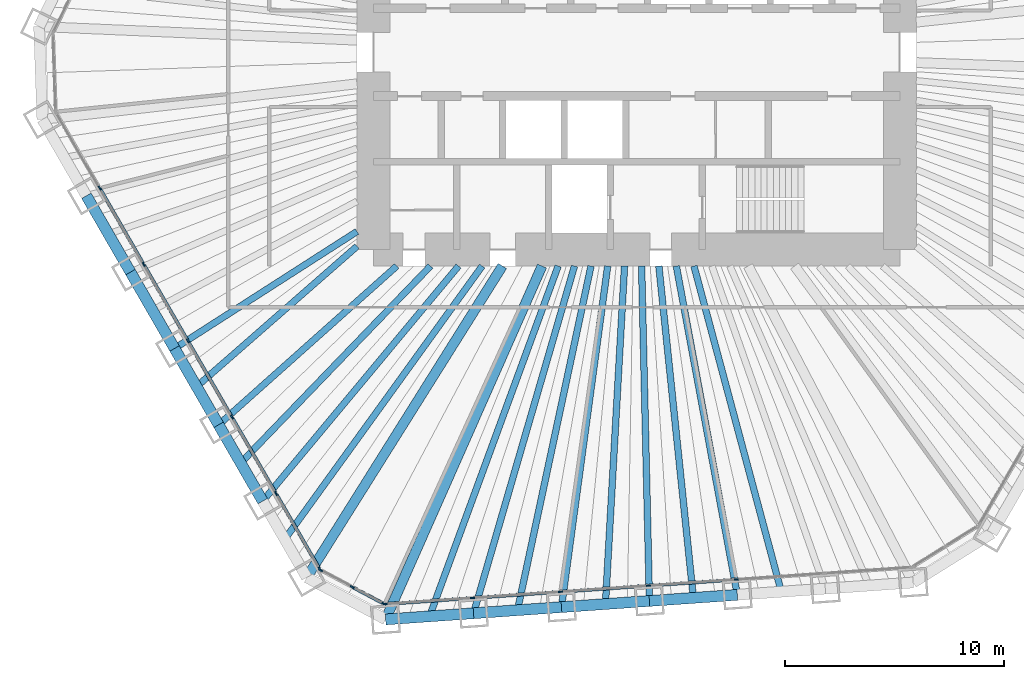
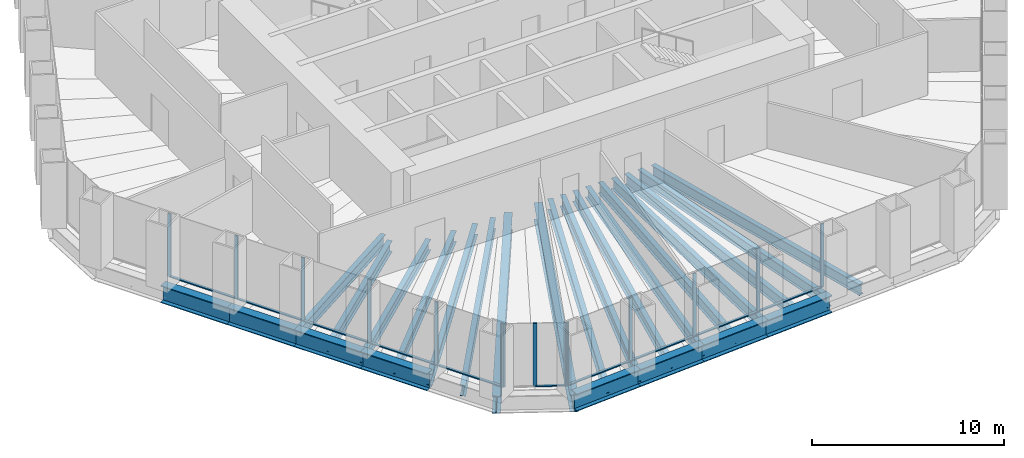
# One storey, part 2 of 13: 25 beams, 24 members, 3 elements without a shape of their own.
"""IFC4 building model written with IfcOpenShell, lengths in metres."""

import ifcopenshell
import ifcopenshell.guid

model = None  # the IFC model being written
_history = None  # IfcOwnerHistory: only IFC2X3 demands one
_inside = {}  # id of a spatial element -> (the spatial element, [elements in it])
_under = {}  # id of a project, library or spatial element -> (it, [spatial elements below it])
_declared = {}  # id of a project -> (the project, [libraries it declares])
_typed = {}  # id of a type object -> (the type object, [elements of that type])
_made_of = {}  # id of a material, layer set ... -> (it, [elements and type objects made of it])


def new_model(schema):
    """Start an empty IFC model of exactly this schema.

    Asked for "IFC4X3", IfcOpenShell would pick the latest addendum, in which some entities
    have other attributes; the version numbers below select the first issue.
    IFC2X3 requires an IfcOwnerHistory on every rooted entity: one is made here for all.
    """
    global model, _history
    if schema == "IFC4X3":
        model = ifcopenshell.file(schema_version=(4, 3, 0, 0))
    else:
        model = ifcopenshell.file(schema=schema)
    _inside.clear()
    _under.clear()
    _declared.clear()
    _typed.clear()
    _made_of.clear()
    _history = None
    if model.schema == "IFC2X3":
        org = make("IfcOrganization", Name="unknown")
        user = make(
            "IfcPersonAndOrganization",
            ThePerson=make("IfcPerson", FamilyName="unknown"),
            TheOrganization=org,
        )
        app = make(
            "IfcApplication",
            ApplicationDeveloper=org,
            Version="unknown",
            ApplicationFullName="unknown",
            ApplicationIdentifier="unknown",
        )
        _history = make(
            "IfcOwnerHistory",
            OwningUser=user,
            OwningApplication=app,
            ChangeAction="ADDED",
            CreationDate=0,
        )
    return model


def make(cls, **values):
    """One entity of the class cls with the attributes given. An attribute that is None is left unset."""
    return model.create_entity(
        cls, **{name: value for name, value in values.items() if value is not None}
    )


def rooted(cls, **values):
    """An entity with a GlobalId (a new one), such as an element, a storey or a relation."""
    return make(cls, GlobalId=ifcopenshell.guid.new(), OwnerHistory=_history, **values)


def si_unit(unit_type, name, prefix=None):
    """IfcSIUnit, for example si_unit("LENGTHUNIT", "METRE", prefix="MILLI")."""
    return make("IfcSIUnit", UnitType=unit_type, Prefix=prefix, Name=name)


def assignment(units):
    """IfcUnitAssignment: the units of a project."""
    return None if units is None else make("IfcUnitAssignment", Units=units)


def point(xyz):
    """IfcCartesianPoint."""
    return None if xyz is None else make("IfcCartesianPoint", Coordinates=xyz)


def direction(xyz):
    """IfcDirection."""
    return None if xyz is None else make("IfcDirection", DirectionRatios=xyz)


def frame(location, z_axis=None, x_axis=None):
    """IfcAxis2Placement3D, a coordinate frame: its origin and axes. An axis left out is left unset."""
    return make(
        "IfcAxis2Placement3D",
        Location=point(location),
        Axis=direction(z_axis),
        RefDirection=direction(x_axis),
    )


def frame_2d(location, x_axis=None):
    """IfcAxis2Placement2D, a coordinate frame in the plane: its origin and x axis."""
    return make(
        "IfcAxis2Placement2D", Location=point(location), RefDirection=direction(x_axis)
    )


def origin():
    """The frame at (0, 0, 0) with its axes left unset."""
    return frame((0.0, 0.0, 0.0))


def origin_2d():
    """The frame at (0, 0) in the plane with its x axis left unset."""
    return frame_2d((0.0, 0.0))


def place(relative_to, where):
    """IfcLocalPlacement: puts the frame where relative to a parent placement (None: the world)."""
    return make(
        "IfcLocalPlacement", PlacementRelTo=relative_to, RelativePlacement=where
    )


def context(
    kind, dimensions, precision=None, world=None, true_north=None, identifier=None
):
    """IfcGeometricRepresentationContext, for example the 3D "Model" context."""
    return make(
        "IfcGeometricRepresentationContext",
        ContextIdentifier=identifier,
        ContextType=kind,
        CoordinateSpaceDimension=dimensions,
        Precision=precision,
        WorldCoordinateSystem=world,
        TrueNorth=true_north,
    )


def subcontext(parent, identifier, kind, view, scale=None):
    """IfcGeometricRepresentationSubContext, for example "Body" below "Model"."""
    return make(
        "IfcGeometricRepresentationSubContext",
        ContextIdentifier=identifier,
        ContextType=kind,
        ParentContext=parent,
        TargetScale=scale,
        TargetView=view,
    )


def project(units=None, contexts=None):
    """IfcProject with its units and contexts."""
    return rooted(
        "IfcProject",
        Name="project",
        RepresentationContexts=contexts,
        UnitsInContext=assignment(units),
    )


def spatial(cls, under=None, at=None, **own):
    """A site, building, storey or space (cls), placed at a placement, below another one or the project."""
    s = rooted(cls, ObjectPlacement=at, **own)
    if under is not None:
        _under.setdefault(under.id(), (under, []))[1].append(s)
    return s


def profile(cls, at=None, kind="AREA", **sizes):
    """A parametric profile (cls). Its sizes go by their IFC names, for example OverallWidth=200.0."""
    return make(cls, ProfileType=kind, Position=at, **sizes)


def rectangle(**sizes):
    """IfcRectangleProfileDef."""
    return profile("IfcRectangleProfileDef", **sizes)


def i_section(**sizes):
    """IfcIShapeProfileDef."""
    return profile("IfcIShapeProfileDef", **sizes)


def extrude(swept, where, along, depth):
    """IfcExtrudedAreaSolid: the profile swept, set in the frame where, extruded along a direction by depth."""
    return make(
        "IfcExtrudedAreaSolid",
        SweptArea=swept,
        Position=where,
        ExtrudedDirection=direction(along),
        Depth=depth,
    )


def shape(context_of_items, identifier, shape_type, items):
    """IfcShapeRepresentation: the items that make up one representation, for example the "Body"."""
    return make(
        "IfcShapeRepresentation",
        ContextOfItems=context_of_items,
        RepresentationIdentifier=identifier,
        RepresentationType=shape_type,
        Items=items,
    )


def material(Name=None, Category=None):
    """IfcMaterial."""
    return make("IfcMaterial", Name=Name, Category=Category)


def material_profile(
    of_material, cross_section, Name=None, Category=None, Priority=None
):
    """IfcMaterialProfile: a cross section and its material."""
    return make(
        "IfcMaterialProfile",
        Name=Name,
        Material=of_material,
        Profile=cross_section,
        Priority=Priority,
        Category=Category,
    )


def profile_set(profiles, Name=None, composite=None):
    """IfcMaterialProfileSet."""
    return make(
        "IfcMaterialProfileSet",
        Name=Name,
        MaterialProfiles=profiles,
        CompositeProfile=composite,
    )


def made_of(thing, what):
    """Note that an element or type object is made of a material, layer set ...; save() writes the relation."""
    if what is not None:
        _made_of.setdefault(what.id(), (what, []))[1].append(thing)
    return thing


def type_object(cls, material=None, **own):
    """A type object (cls), such as IfcWallType, which elements share."""
    return made_of(rooted(cls, **own), material)


def element(
    cls,
    number,
    at=None,
    inside=None,
    cuts=None,
    type_object=None,
    material=None,
    context=None,
    identifier="Body",
    shape_type=None,
    held_by="IfcProductDefinitionShape",
    body=None,
    shapes=None,
    **own,
):
    """One element of the class cls, such as IfcWall. Its Tag is "e" and its number.

    at: its placement. inside: the storey or other place that contains it. cuts: it is an
    opening in that element (IfcRelVoidsElement). A single representation is given by context,
    identifier, shape_type and body (its items); several are given by shapes. held_by: the class
    of the entity that holds the representations. save() writes the other relations.
    """
    e = rooted(cls, Tag="e%d" % number, ObjectPlacement=at, **own)
    if body is not None:
        shapes = [shape(context, identifier, shape_type, body)]
    if shapes is not None:
        e.Representation = make(held_by, Representations=shapes)
    if inside is not None:
        _inside.setdefault(inside.id(), (inside, []))[1].append(e)
    if cuts is not None:
        rooted(
            "IfcRelVoidsElement", RelatingBuildingElement=cuts, RelatedOpeningElement=e
        )
    if type_object is not None:
        _typed.setdefault(type_object.id(), (type_object, []))[1].append(e)
    return made_of(e, material)


def aggregate(whole, parts):
    """IfcRelAggregates: a whole, such as a stair, and the parts it consists of."""
    return rooted("IfcRelAggregates", RelatingObject=whole, RelatedObjects=parts)


def save(model, path):
    """Write the relations noted so far, then the file.

    IfcRelAggregates (storeys below a building ...), IfcRelContainedInSpatialStructure (elements
    in a storey), IfcRelDefinesByType, IfcRelAssociatesMaterial and IfcRelDeclares: one each for
    every whole, place, type object, material and project.
    """
    for whole, parts in _under.values():
        aggregate(whole, parts)
    for where, things in _inside.values():
        rooted(
            "IfcRelContainedInSpatialStructure",
            RelatedElements=things,
            RelatingStructure=where,
        )
    for kind, things in _typed.values():
        rooted("IfcRelDefinesByType", RelatedObjects=things, RelatingType=kind)
    for what, things in _made_of.values():
        rooted("IfcRelAssociatesMaterial", RelatedObjects=things, RelatingMaterial=what)
    for by, libraries in _declared.values():
        rooted("IfcRelDeclares", RelatingContext=by, RelatedDefinitions=libraries)
    model.write(path)


model = new_model("IFC4")

# Units and contexts
model_context = context("Model", 3, precision=1e-05, world=origin(), true_north=direction((0.0, 1.0)))
body_context = subcontext(model_context, "Body", "Model", "MODEL_VIEW")
ifc_project = project(units=[si_unit("LENGTHUNIT", "METRE"), si_unit("AREAUNIT", "SQUARE_METRE"), si_unit("VOLUMEUNIT", "CUBIC_METRE"), si_unit("PLANEANGLEUNIT", "RADIAN"), si_unit("MASSUNIT", "GRAM", prefix="KILO")], contexts=[model_context])

# Site, building, storey
site_placement = place(None, origin())
site = spatial("IfcSite", under=ifc_project, at=site_placement, CompositionType="ELEMENT")
building_placement = place(site_placement, origin())
building = spatial("IfcBuilding", under=site, at=building_placement, Name="Qingtian Harvest Tower", CompositionType="ELEMENT")
storey_placement = place(building_placement, frame((0.0, 0.0, 119.800048828125)))
storey = spatial("IfcBuildingStorey", under=building, at=storey_placement, Name="L24", CompositionType="ELEMENT", Elevation=119.800048828125)

# Beams
ifc_material_1 = material(Name="Steel SM570MC", Category="steel")
ifc_material_profile_1 = material_profile(ifc_material_1, i_section(OverallWidth=0.449951171875, OverallDepth=1.10009765625, WebThickness=0.02197265625, FlangeThickness=0.044921875, at=origin_2d()), Name="H1100x450x22x45")
ifc_profile_set_1 = profile_set([ifc_material_profile_1], Name="Steel SM570MC")
beam_type_1 = type_object("IfcBeamType", Name="Corner floor beam FB8 H1100x450x22x45", PredefinedType="BEAM", material=ifc_profile_set_1)
beam_1_placement = place(storey_placement, frame((-11.445556640625, -25.861328125, -0.719970703125), z_axis=(0.404705702755, 0.914446988161, 0.0), x_axis=(-0.914446988161, 0.404705702755, 0.0)))
element("IfcBeam", 1, at=beam_1_placement, inside=storey, type_object=beam_type_1, Name="Floor beam FB8 S6", PredefinedType="BEAM", context=body_context, shape_type="SweptSolid", body=[
    extrude(i_section(OverallWidth=0.449951171875, OverallDepth=1.10009765625, WebThickness=0.02197265625, FlangeThickness=0.044921875, at=origin_2d()), origin(), (0.0, 0.0, 1.0), 17.61865234375),
])
beam_2_placement = place(storey_placement, frame((-15.039794921875, -23.950439453125, -0.719970703125), z_axis=(0.531797274443, 0.846871689747, 0.0), x_axis=(-0.846871689747, 0.531797274443, 0.0)))
element("IfcBeam", 2, at=beam_2_placement, inside=storey, type_object=beam_type_1, Name="Floor beam FB8 SW0", PredefinedType="BEAM", context=body_context, shape_type="SweptSolid", body=[
    extrude(i_section(OverallWidth=0.449951171875, OverallDepth=1.10009765625, WebThickness=0.02197265625, FlangeThickness=0.044921875, at=origin_2d()), origin(), (0.0, 0.0, 1.0), 16.76806640625),
])
ifc_material_2 = material(Name="Steel SN490B", Category="steel")
ifc_material_profile_2 = material_profile(ifc_material_2, i_section(OverallWidth=0.300048828125, OverallDepth=0.75, WebThickness=0.013916015625, FlangeThickness=0.02490234375, at=origin_2d()), Name="H750x300x14x25")
ifc_profile_set_2 = profile_set([ifc_material_profile_2], Name="Steel SN490B")
beam_type_2 = type_object("IfcBeamType", Name="Floor beam FB12 H750x300x14x25", PredefinedType="BEAM", material=ifc_profile_set_2)
beam_3_placement = place(storey_placement, frame((-7.436279296875, -25.5810546875, -0.545166015625), z_axis=(0.279142362954, 0.960249728562, 0.0), x_axis=(-0.960249728562, 0.279142362954, 0.0)))
element("IfcBeam", 3, at=beam_3_placement, inside=storey, type_object=beam_type_2, Name="Floor beam FB12 S5", PredefinedType="BEAM", context=body_context, shape_type="SweptSolid", body=[
    extrude(i_section(OverallWidth=0.300048828125, OverallDepth=0.75, WebThickness=0.013916015625, FlangeThickness=0.02490234375, at=origin_2d()), origin(), (0.0, 0.0, 1.0), 16.486328125),
])
ifc_material_3 = material(Name="Steel SN490B", Category="steel")
ifc_material_profile_3 = material_profile(ifc_material_3, i_section(OverallWidth=0.300048828125, OverallDepth=0.699951171875, WebThickness=0.012939453125, FlangeThickness=0.02392578125, at=origin_2d()), Name="H700x300x13x24")
ifc_profile_set_3 = profile_set([ifc_material_profile_3], Name="Steel SN490B")
beam_type_3 = type_object("IfcBeamType", Name="Floor beam FB2 H700x300x13x24", PredefinedType="BEAM", material=ifc_profile_set_3)
beam_4_placement = place(storey_placement, frame((4.591552734375, -24.739990234375, -0.52001953125), z_axis=(-0.182473442032, 0.983210782565, 0.0), x_axis=(-0.983210782565, -0.182473442032, 0.0)))
element("IfcBeam", 4, at=beam_4_placement, inside=storey, type_object=beam_type_3, Name="Floor beam FB2 S2", PredefinedType="BEAM", context=body_context, shape_type="SweptSolid", body=[
    extrude(i_section(OverallWidth=0.300048828125, OverallDepth=0.699951171875, WebThickness=0.012939453125, FlangeThickness=0.02392578125, at=origin_2d()), origin(), (0.0, 0.0, 1.0), 15.245849609375),
])
beam_5_placement = place(storey_placement, frame((0.582275390625, -25.020263671875, -0.52001953125), z_axis=(-0.023272189962, 0.999729165912, 0.0), x_axis=(-0.999729165912, -0.023272189962, 0.0)))
element("IfcBeam", 5, at=beam_5_placement, inside=storey, type_object=beam_type_3, Name="Floor beam FB2 S3", PredefinedType="BEAM", context=body_context, shape_type="SweptSolid", body=[
    extrude(i_section(OverallWidth=0.300048828125, OverallDepth=0.699951171875, WebThickness=0.012939453125, FlangeThickness=0.02392578125, at=origin_2d()), origin(), (0.0, 0.0, 1.0), 15.2744140625),
])
beam_6_placement = place(storey_placement, frame((-3.427001953125, -25.30078125, -0.52001953125), z_axis=(0.134230066005, 0.990950195207, 0.0), x_axis=(-0.990950195207, 0.134230066005, 0.0)))
element("IfcBeam", 6, at=beam_6_placement, inside=storey, type_object=beam_type_3, Name="Floor beam FB2 S4", PredefinedType="BEAM", context=body_context, shape_type="SweptSolid", body=[
    extrude(i_section(OverallWidth=0.300048828125, OverallDepth=0.699951171875, WebThickness=0.012939453125, FlangeThickness=0.02392578125, at=origin_2d()), origin(), (0.0, 0.0, 1.0), 15.69287109375),
])
beam_7_placement = place(storey_placement, frame((-17.04931640625, -20.4697265625, -0.52001953125), z_axis=(0.639988150605, 0.768384778015, 0.0), x_axis=(-0.768384778015, 0.639988150605, 0.0)))
element("IfcBeam", 7, at=beam_7_placement, inside=storey, type_object=beam_type_3, Name="Floor beam FB2 SW1", PredefinedType="BEAM", context=body_context, shape_type="SweptSolid", body=[
    extrude(i_section(OverallWidth=0.300048828125, OverallDepth=0.699951171875, WebThickness=0.012939453125, FlangeThickness=0.02392578125, at=origin_2d()), origin(), (0.0, 0.0, 1.0), 13.950927734375),
])
beam_8_placement = place(storey_placement, frame((-19.058837890625, -16.989013671875, -0.52001953125), z_axis=(0.746483707908, 0.665403692376, 0.0), x_axis=(-0.665403692376, 0.746483707908, 0.0)))
element("IfcBeam", 8, at=beam_8_placement, inside=storey, type_object=beam_type_3, Name="Floor beam FB2 SW2", PredefinedType="BEAM", context=body_context, shape_type="SweptSolid", body=[
    extrude(i_section(OverallWidth=0.300048828125, OverallDepth=0.699951171875, WebThickness=0.012939453125, FlangeThickness=0.02392578125, at=origin_2d()), origin(), (0.0, 0.0, 1.0), 10.879150390625),
])
beam_9_placement = place(storey_placement, frame((-21.068359375, -13.508544921875, -0.52001953125), z_axis=(0.841823295753, 0.539753220211, 0.0), x_axis=(-0.539753220211, 0.841823295753, 0.0)))
element("IfcBeam", 9, at=beam_9_placement, inside=storey, type_object=beam_type_3, Name="Floor beam FB2 SW3", PredefinedType="BEAM", context=body_context, shape_type="SweptSolid", body=[
    extrude(i_section(OverallWidth=0.300048828125, OverallDepth=0.699951171875, WebThickness=0.012939453125, FlangeThickness=0.02392578125, at=origin_2d()), origin(), (0.0, 0.0, 1.0), 9.88134765625),
])
ifc_material_4 = material(Name="Steel SN490B", Category="steel")
ifc_material_profile_4 = material_profile(ifc_material_4, i_section(OverallWidth=0.300048828125, OverallDepth=0.699951171875, WebThickness=0.012939453125, FlangeThickness=0.02392578125, at=origin_2d()), Name="H700x300x13x24")
ifc_profile_set_4 = profile_set([ifc_material_profile_4], Name="Steel SN490B")
beam_type_4 = type_object("IfcBeamType", Name="Floor joist J2 H700x300x13x24", PredefinedType="JOIST", material=ifc_profile_set_4)
beam_10_placement = place(storey_placement, frame((6.59619140625, -24.599853515625, -0.52001953125), z_axis=(-0.258996688759, 0.965878209306, 0.0), x_axis=(-0.965878209306, -0.258996688759, 0.0)))
element("IfcBeam", 10, at=beam_10_placement, inside=storey, type_object=beam_type_4, Name="Floor joist J2 S1", PredefinedType="JOIST", context=body_context, shape_type="SweptSolid", body=[
    extrude(i_section(OverallWidth=0.300048828125, OverallDepth=0.699951171875, WebThickness=0.012939453125, FlangeThickness=0.02392578125, at=origin_2d()), origin(), (0.0, 0.0, 1.0), 15.37451171875),
])
beam_11_placement = place(storey_placement, frame((2.5869140625, -24.880126953125, -0.52001953125), z_axis=(-0.103423163361, 0.994637446148, 0.0), x_axis=(-0.994637446148, -0.103423163361, 0.0)))
element("IfcBeam", 11, at=beam_11_placement, inside=storey, type_object=beam_type_4, Name="Floor joist J2 S2", PredefinedType="JOIST", context=body_context, shape_type="SweptSolid", body=[
    extrude(i_section(OverallWidth=0.300048828125, OverallDepth=0.699951171875, WebThickness=0.012939453125, FlangeThickness=0.02392578125, at=origin_2d()), origin(), (0.0, 0.0, 1.0), 15.211669921875),
])
beam_12_placement = place(storey_placement, frame((-1.42236328125, -25.160400390625, -0.52001953125), z_axis=(0.05643626267, 0.998406204035, 0.0), x_axis=(-0.998406204035, 0.05643626267, 0.0)))
element("IfcBeam", 12, at=beam_12_placement, inside=storey, type_object=beam_type_4, Name="Floor joist J2 S3", PredefinedType="JOIST", context=body_context, shape_type="SweptSolid", body=[
    extrude(i_section(OverallWidth=0.300048828125, OverallDepth=0.699951171875, WebThickness=0.012939453125, FlangeThickness=0.02392578125, at=origin_2d()), origin(), (0.0, 0.0, 1.0), 15.43505859375),
])
beam_13_placement = place(storey_placement, frame((-5.431640625, -25.44091796875, -0.52001953125), z_axis=(0.208799533611, 0.977958462699, 0.0), x_axis=(-0.977958462699, 0.208799533611, 0.0)))
element("IfcBeam", 13, at=beam_13_placement, inside=storey, type_object=beam_type_4, Name="Floor joist J2 S4", PredefinedType="JOIST", context=body_context, shape_type="SweptSolid", body=[
    extrude(i_section(OverallWidth=0.300048828125, OverallDepth=0.699951171875, WebThickness=0.012939453125, FlangeThickness=0.02392578125, at=origin_2d()), origin(), (0.0, 0.0, 1.0), 16.044677734375),
])
beam_14_placement = place(storey_placement, frame((-9.44091796875, -25.72119140625, -0.52001953125), z_axis=(0.344563279886, 0.938763093732, 0.0), x_axis=(-0.938763093732, 0.344563279886, 0.0)))
element("IfcBeam", 14, at=beam_14_placement, inside=storey, type_object=beam_type_4, Name="Floor joist J2 S5", PredefinedType="JOIST", context=body_context, shape_type="SweptSolid", body=[
    extrude(i_section(OverallWidth=0.300048828125, OverallDepth=0.699951171875, WebThickness=0.012939453125, FlangeThickness=0.02392578125, at=origin_2d()), origin(), (0.0, 0.0, 1.0), 17.012939453125),
])
beam_15_placement = place(storey_placement, frame((-16.04443359375, -22.2099609375, -0.52001953125), z_axis=(0.585581016658, 0.810613886465, 0.0), x_axis=(-0.810613886465, 0.585581016658, 0.0)))
element("IfcBeam", 15, at=beam_15_placement, inside=storey, type_object=beam_type_4, Name="Floor joist J2 SW0", PredefinedType="JOIST", context=body_context, shape_type="SweptSolid", body=[
    extrude(i_section(OverallWidth=0.300048828125, OverallDepth=0.699951171875, WebThickness=0.012939453125, FlangeThickness=0.02392578125, at=origin_2d()), origin(), (0.0, 0.0, 1.0), 15.37109375),
])
beam_16_placement = place(storey_placement, frame((-18.053955078125, -18.7294921875, -0.52001953125), z_axis=(0.693999346894, 0.719975629108, 0.0), x_axis=(-0.719975629108, 0.693999346894, 0.0)))
element("IfcBeam", 16, at=beam_16_placement, inside=storey, type_object=beam_type_4, Name="Floor joist J2 SW1", PredefinedType="JOIST", context=body_context, shape_type="SweptSolid", body=[
    extrude(i_section(OverallWidth=0.300048828125, OverallDepth=0.699951171875, WebThickness=0.012939453125, FlangeThickness=0.02392578125, at=origin_2d()), origin(), (0.0, 0.0, 1.0), 12.471923828125),
])
beam_17_placement = place(storey_placement, frame((-20.063720703125, -15.248779296875, -0.52001953125), z_axis=(0.752618713562, 0.658456583228, 0.0), x_axis=(-0.658456583228, 0.752618713562, 0.0)))
element("IfcBeam", 17, at=beam_17_placement, inside=storey, type_object=beam_type_4, Name="Floor joist J2 SW2", PredefinedType="JOIST", context=body_context, shape_type="SweptSolid", body=[
    extrude(i_section(OverallWidth=0.300048828125, OverallDepth=0.699951171875, WebThickness=0.012939453125, FlangeThickness=0.02392578125, at=origin_2d()), origin(), (0.0, 0.0, 1.0), 9.7177734375),
])

# Curtain wall, members
ifc_material_5 = material(Name="Bronze-anodised aluminium curtain wall", Category="aluminium")
curtain_wall_type = type_object("IfcCurtainWallType", Name="Curtain wall CW4 office", PredefinedType="USERDEFINED", material=ifc_material_5)
curtain_wall_1_placement = place(storey_placement, origin())
curtain_wall_1 = element("IfcCurtainWall", 18, at=curtain_wall_1_placement, inside=storey, type_object=curtain_wall_type, Name="Curtain wall CW4 L24 S0-5", ObjectType="RECESSED CURTAIN WALL", PredefinedType="USERDEFINED")
ifc_material_6 = material(Name="Bronze-anodised aluminium mullion", Category="aluminium")
ifc_material_profile_5 = material_profile(ifc_material_6, rectangle(XDim=0.06494140625, YDim=0.199951171875, at=origin_2d()), Name="AL 65x200")
ifc_profile_set_5 = profile_set([ifc_material_profile_5], Name="Bronze-anodised aluminium mullion")
member_type_1 = type_object("IfcMemberType", Name="Mullion CWM 65x200", PredefinedType="MULLION", material=ifc_profile_set_5)
member_1_placement = place(storey_placement, frame((4.542724609375, -24.041748046875, 0.0), z_axis=(0.0, 0.0, 1.0), x_axis=(0.069756473744, -0.99756405026, 0.0)))
member_1 = element("IfcMember", 19, at=member_1_placement, type_object=member_type_1, Name="CW4 mullion 3", PredefinedType="MULLION", context=body_context, shape_type="SweptSolid", body=[
    extrude(rectangle(XDim=0.06494140625, YDim=0.199951171875, at=origin_2d()), origin(), (0.0, 0.0, 1.0), 4.030029296875),
])
member_2_placement = place(storey_placement, frame((0.533447265625, -24.322021484375, 0.0), z_axis=(0.0, 0.0, 1.0), x_axis=(0.069756473744, -0.99756405026, 0.0)))
member_2 = element("IfcMember", 20, at=member_2_placement, type_object=member_type_1, Name="CW4 mullion 4", PredefinedType="MULLION", context=body_context, shape_type="SweptSolid", body=[
    extrude(rectangle(XDim=0.06494140625, YDim=0.199951171875, at=origin_2d()), origin(), (0.0, 0.0, 1.0), 4.030029296875),
])
member_3_placement = place(storey_placement, frame((-3.475830078125, -24.602294921875, 0.0), z_axis=(0.0, 0.0, 1.0), x_axis=(0.069756473744, -0.99756405026, 0.0)))
member_3 = element("IfcMember", 21, at=member_3_placement, type_object=member_type_1, Name="CW4 mullion 5", PredefinedType="MULLION", context=body_context, shape_type="SweptSolid", body=[
    extrude(rectangle(XDim=0.06494140625, YDim=0.199951171875, at=origin_2d()), origin(), (0.0, 0.0, 1.0), 4.030029296875),
])
member_4_placement = place(storey_placement, frame((-7.485107421875, -24.8828125, 0.0), z_axis=(0.0, 0.0, 1.0), x_axis=(0.069756473744, -0.99756405026, 0.0)))
member_4 = element("IfcMember", 22, at=member_4_placement, type_object=member_type_1, Name="CW4 mullion 6", PredefinedType="MULLION", context=body_context, shape_type="SweptSolid", body=[
    extrude(rectangle(XDim=0.06494140625, YDim=0.199951171875, at=origin_2d()), origin(), (0.0, 0.0, 1.0), 4.030029296875),
])
member_5_placement = place(storey_placement, frame((-11.4619140625, -25.160888671875, 0.0), z_axis=(0.0, 0.0, 1.0), x_axis=(0.069756473744, -0.99756405026, 0.0)))
member_5 = element("IfcMember", 23, at=member_5_placement, type_object=member_type_1, Name="CW4 mullion 7", PredefinedType="MULLION", context=body_context, shape_type="SweptSolid", body=[
    extrude(rectangle(XDim=0.06494140625, YDim=0.199951171875, at=origin_2d()), origin(), (0.0, 0.0, 1.0), 4.030029296875),
])

curtain_wall_2_placement = place(storey_placement, origin())
curtain_wall_2 = element("IfcCurtainWall", 24, at=curtain_wall_2_placement, inside=storey, type_object=curtain_wall_type, Name="Curtain wall CW4 L24 SC", ObjectType="RECESSED CURTAIN WALL", PredefinedType="USERDEFINED")
member_6_placement = place(storey_placement, frame((-11.523193359375, -25.14794921875, 0.0), z_axis=(0.0, 0.0, 1.0), x_axis=(-0.469471562786, -0.882947592859, 0.0)))
member_6 = element("IfcMember", 25, at=member_6_placement, type_object=member_type_1, Name="CW4 mullion 1", PredefinedType="MULLION", context=body_context, shape_type="SweptSolid", body=[
    extrude(rectangle(XDim=0.06494140625, YDim=0.199951171875, at=origin_2d()), origin(), (0.0, 0.0, 1.0), 4.030029296875),
])
member_7_placement = place(storey_placement, frame((-12.964111328125, -24.3818359375, 0.0), z_axis=(0.0, 0.0, 1.0), x_axis=(-0.469471562786, -0.882947592859, 0.0)))
member_7 = element("IfcMember", 26, at=member_7_placement, type_object=member_type_1, Name="CW4 mullion 2", PredefinedType="MULLION", context=body_context, shape_type="SweptSolid", body=[
    extrude(rectangle(XDim=0.06494140625, YDim=0.199951171875, at=origin_2d()), origin(), (0.0, 0.0, 1.0), 4.030029296875),
])
member_8_placement = place(storey_placement, frame((-14.40478515625, -23.61572265625, 0.0), z_axis=(0.0, 0.0, 1.0), x_axis=(-0.469471562786, -0.882947592859, 0.0)))
member_8 = element("IfcMember", 27, at=member_8_placement, type_object=member_type_1, Name="CW4 mullion 3", PredefinedType="MULLION", context=body_context, shape_type="SweptSolid", body=[
    extrude(rectangle(XDim=0.06494140625, YDim=0.199951171875, at=origin_2d()), origin(), (0.0, 0.0, 1.0), 4.030029296875),
])

curtain_wall_3_placement = place(storey_placement, origin())
curtain_wall_3 = element("IfcCurtainWall", 28, at=curtain_wall_3_placement, inside=storey, type_object=curtain_wall_type, Name="Curtain wall CW4 L24 SW0-5", ObjectType="RECESSED CURTAIN WALL", PredefinedType="USERDEFINED")
member_9_placement = place(storey_placement, frame((-14.44970703125, -23.572265625, 0.0), z_axis=(0.0, 0.0, 1.0), x_axis=(-0.866025403784, -0.5, 0.0)))
member_9 = element("IfcMember", 29, at=member_9_placement, type_object=member_type_1, Name="CW4 mullion 1", PredefinedType="MULLION", context=body_context, shape_type="SweptSolid", body=[
    extrude(rectangle(XDim=0.06494140625, YDim=0.199951171875, at=origin_2d()), origin(), (0.0, 0.0, 1.0), 4.030029296875),
])
member_10_placement = place(storey_placement, frame((-16.443115234375, -20.11962890625, 0.0), z_axis=(0.0, 0.0, 1.0), x_axis=(-0.866025403784, -0.5, 0.0)))
member_10 = element("IfcMember", 30, at=member_10_placement, type_object=member_type_1, Name="CW4 mullion 2", PredefinedType="MULLION", context=body_context, shape_type="SweptSolid", body=[
    extrude(rectangle(XDim=0.06494140625, YDim=0.199951171875, at=origin_2d()), origin(), (0.0, 0.0, 1.0), 4.030029296875),
])
member_11_placement = place(storey_placement, frame((-18.45263671875, -16.63916015625, 0.0), z_axis=(0.0, 0.0, 1.0), x_axis=(-0.866025403784, -0.5, 0.0)))
member_11 = element("IfcMember", 31, at=member_11_placement, type_object=member_type_1, Name="CW4 mullion 3", PredefinedType="MULLION", context=body_context, shape_type="SweptSolid", body=[
    extrude(rectangle(XDim=0.06494140625, YDim=0.199951171875, at=origin_2d()), origin(), (0.0, 0.0, 1.0), 4.030029296875),
])
member_12_placement = place(storey_placement, frame((-20.462158203125, -13.158447265625, 0.0), z_axis=(0.0, 0.0, 1.0), x_axis=(-0.866025403784, -0.5, 0.0)))
member_12 = element("IfcMember", 32, at=member_12_placement, type_object=member_type_1, Name="CW4 mullion 4", PredefinedType="MULLION", context=body_context, shape_type="SweptSolid", body=[
    extrude(rectangle(XDim=0.06494140625, YDim=0.199951171875, at=origin_2d()), origin(), (0.0, 0.0, 1.0), 4.030029296875),
])
member_13_placement = place(storey_placement, frame((-22.4716796875, -9.677978515625, 0.0), z_axis=(0.0, 0.0, 1.0), x_axis=(-0.866025403784, -0.5, 0.0)))
member_13 = element("IfcMember", 33, at=member_13_placement, type_object=member_type_1, Name="CW4 mullion 5", PredefinedType="MULLION", context=body_context, shape_type="SweptSolid", body=[
    extrude(rectangle(XDim=0.06494140625, YDim=0.199951171875, at=origin_2d()), origin(), (0.0, 0.0, 1.0), 4.030029296875),
])
member_14_placement = place(storey_placement, frame((-24.481201171875, -6.197265625, 0.0), z_axis=(0.0, 0.0, 1.0), x_axis=(-0.866025403784, -0.5, 0.0)))
member_14 = element("IfcMember", 34, at=member_14_placement, type_object=member_type_1, Name="CW4 mullion 6", PredefinedType="MULLION", context=body_context, shape_type="SweptSolid", body=[
    extrude(rectangle(XDim=0.06494140625, YDim=0.199951171875, at=origin_2d()), origin(), (0.0, 0.0, 1.0), 4.030029296875),
])

# Beams
ifc_material_7 = material(Name="Steel SM570MC", Category="steel")
ifc_material_profile_6 = material_profile(ifc_material_7, i_section(OverallWidth=0.5, OverallDepth=1.10009765625, WebThickness=0.02490234375, FlangeThickness=0.050048828125, at=origin_2d()), Name="H1100x500x25x50")
ifc_profile_set_6 = profile_set([ifc_material_profile_6], Name="Steel SM570MC")
beam_type_5 = type_object("IfcBeamType", Name="Spandrel beam SB2 H1100x500x25x50", PredefinedType="SPANDREL", material=ifc_profile_set_6)
for number, where, z_axis, x_axis, name in (
    (35, (4.591552734375, -24.739990234375, -0.550048828125), (-0.997565479251, -0.069736035208, 0.0), (0.069736035208, -0.997565479251, 0.0), "Spandrel SB2 S2"),
    (36, (0.582275390625, -25.020263671875, -0.550048828125), (-0.997561251588, -0.069796485086, 0.0), (0.069796485086, -0.997561251588, 0.0), "Spandrel SB2 S3"),
    (37, (-3.427001953125, -25.30078125, -0.550048828125), (-0.997565479251, -0.069736035208, 0.0), (0.069736035208, -0.997565479251, 0.0), "Spandrel SB2 S4"),
    (38, (-7.436279296875, -25.5810546875, -0.550048828125), (-0.997565479251, -0.069736035208, 0.0), (0.069736035208, -0.997565479251, 0.0), "Spandrel SB2 S5"),
    (39, (-17.04931640625, -20.4697265625, -0.550048828125), (-0.499987116613, 0.866032841884, 0.0), (-0.866032841884, -0.499987116613, 0.0), "Spandrel SB2 SW1"),
    (40, (-19.058837890625, -16.989013671875, -0.550048828125), (-0.500013420409, 0.866017655369, 0.0), (-0.866017655369, -0.500013420409, 0.0), "Spandrel SB2 SW2"),
    (41, (-21.068359375, -13.508544921875, -0.550048828125), (-0.499987116613, 0.866032841884, 0.0), (-0.866032841884, -0.499987116613, 0.0), "Spandrel SB2 SW3"),
    (42, (-23.077880859375, -10.02783203125, -0.550048828125), (-0.499987116613, 0.866032841884, 0.0), (-0.866032841884, -0.499987116613, 0.0), "Spandrel SB2 SW4"),
):
    element("IfcBeam", number, at=place(storey_placement, frame(where, z_axis=z_axis, x_axis=x_axis)), inside=storey, type_object=beam_type_5, Name=name, PredefinedType="SPANDREL", context=body_context, shape_type="SweptSolid", body=[
        extrude(i_section(OverallWidth=0.5, OverallDepth=1.10009765625, WebThickness=0.02490234375, FlangeThickness=0.050048828125, at=origin_2d()), origin(), (0.0, 0.0, 1.0), 4.01904296875),
    ])

# Member
ifc_material_8 = material(Name="Bronze-anodised aluminium transom", Category="aluminium")
ifc_material_profile_7 = material_profile(ifc_material_8, rectangle(XDim=0.14990234375, YDim=0.06494140625, at=origin_2d()), Name="AL 65x150")
ifc_profile_set_7 = profile_set([ifc_material_profile_7], Name="Bronze-anodised aluminium transom")
member_type_2 = type_object("IfcMemberType", Name="Transom CWT 65x150", PredefinedType="USERDEFINED", material=ifc_profile_set_7)
member_15_placement = place(storey_placement, frame((4.51025390625, -24.0439453125, 0.032470703125), z_axis=(-0.997562922571, -0.069772598571, 0.0), x_axis=(0.069772598571, -0.997562922571, 0.0)))
member_15 = element("IfcMember", 43, at=member_15_placement, type_object=member_type_2, Name="CW4 transom 3.1", ObjectType="TRANSOM", PredefinedType="USERDEFINED", context=body_context, shape_type="SweptSolid", body=[
    extrude(rectangle(XDim=0.14990234375, YDim=0.06494140625, at=origin_2d()), origin(), (0.0, 0.0, 1.0), 3.953857421875),
])

member_16_placement = place(storey_placement, frame((0.5009765625, -24.32421875, 0.032470703125), z_axis=(-0.997562922571, -0.069772598571, 0.0), x_axis=(0.069772598571, -0.997562922571, 0.0)))
member_16 = element("IfcMember", 44, at=member_16_placement, type_object=member_type_2, Name="CW4 transom 4.1", ObjectType="TRANSOM", PredefinedType="USERDEFINED", context=body_context, shape_type="SweptSolid", body=[
    extrude(rectangle(XDim=0.14990234375, YDim=0.06494140625, at=origin_2d()), origin(), (0.0, 0.0, 1.0), 3.953857421875),
])

member_17_placement = place(storey_placement, frame((-3.50830078125, -24.604736328125, 0.032470703125), z_axis=(-0.997567218353, -0.069711153102, 0.0), x_axis=(0.069711153102, -0.997567218353, 0.0)))
member_17 = element("IfcMember", 45, at=member_17_placement, type_object=member_type_2, Name="CW4 transom 5.1", ObjectType="TRANSOM", PredefinedType="USERDEFINED", context=body_context, shape_type="SweptSolid", body=[
    extrude(rectangle(XDim=0.14990234375, YDim=0.06494140625, at=origin_2d()), origin(), (0.0, 0.0, 1.0), 3.953857421875),
])

member_18_placement = place(storey_placement, frame((-7.517578125, -24.885009765625, 0.032470703125), z_axis=(-0.997561915105, -0.069787001175, 0.0), x_axis=(0.069787001175, -0.997561915105, 0.0)))
member_18 = element("IfcMember", 46, at=member_18_placement, type_object=member_type_2, Name="CW4 transom 6.1", ObjectType="TRANSOM", PredefinedType="USERDEFINED", context=body_context, shape_type="SweptSolid", body=[
    extrude(rectangle(XDim=0.14990234375, YDim=0.06494140625, at=origin_2d()), origin(), (0.0, 0.0, 1.0), 3.921630859375),
])

aggregate(curtain_wall_1, [member_1, member_2, member_3, member_4, member_5, member_15, member_16, member_17, member_18])

member_19_placement = place(storey_placement, frame((-11.5517578125, -25.132568359375, 0.032470703125), z_axis=(-0.882960338349, 0.46944759122, 0.0), x_axis=(-0.46944759122, -0.882960338349, 0.0)))
member_19 = element("IfcMember", 47, at=member_19_placement, type_object=member_type_2, Name="CW4 transom 1.1", ObjectType="TRANSOM", PredefinedType="USERDEFINED", context=body_context, shape_type="SweptSolid", body=[
    extrude(rectangle(XDim=0.14990234375, YDim=0.06494140625, at=origin_2d()), origin(), (0.0, 0.0, 1.0), 1.56689453125),
])

aggregate(curtain_wall_2, [member_6, member_7, member_8, member_19])

member_20_placement = place(storey_placement, frame((-14.466064453125, -23.5439453125, 0.032470703125), z_axis=(-0.500002696854, 0.866023846749, 0.0), x_axis=(-0.866023846749, -0.500002696854, 0.0)))
member_20 = element("IfcMember", 48, at=member_20_placement, type_object=member_type_2, Name="CW4 transom 1.1", ObjectType="TRANSOM", PredefinedType="USERDEFINED", context=body_context, shape_type="SweptSolid", body=[
    extrude(rectangle(XDim=0.14990234375, YDim=0.06494140625, at=origin_2d()), origin(), (0.0, 0.0, 1.0), 3.92138671875),
])

member_21_placement = place(storey_placement, frame((-16.459228515625, -20.091552734375, 0.032470703125), z_axis=(-0.500003941941, 0.866023127892, 0.0), x_axis=(-0.866023127892, -0.500003941941, 0.0)))
member_21 = element("IfcMember", 49, at=member_21_placement, type_object=member_type_2, Name="CW4 transom 2.1", ObjectType="TRANSOM", PredefinedType="USERDEFINED", context=body_context, shape_type="SweptSolid", body=[
    extrude(rectangle(XDim=0.14990234375, YDim=0.06494140625, at=origin_2d()), origin(), (0.0, 0.0, 1.0), 3.9541015625),
])

member_22_placement = place(storey_placement, frame((-18.468994140625, -16.611083984375, 0.032470703125), z_axis=(-0.49993089783, 0.866065296265, 0.0), x_axis=(-0.866065296265, -0.49993089783, 0.0)))
member_22 = element("IfcMember", 50, at=member_22_placement, type_object=member_type_2, Name="CW4 transom 3.1", ObjectType="TRANSOM", PredefinedType="USERDEFINED", context=body_context, shape_type="SweptSolid", body=[
    extrude(rectangle(XDim=0.14990234375, YDim=0.06494140625, at=origin_2d()), origin(), (0.0, 0.0, 1.0), 3.9541015625),
])

member_23_placement = place(storey_placement, frame((-20.478515625, -13.13037109375, 0.032470703125), z_axis=(-0.500003941941, 0.866023127892, 0.0), x_axis=(-0.866023127892, -0.500003941941, 0.0)))
member_23 = element("IfcMember", 51, at=member_23_placement, type_object=member_type_2, Name="CW4 transom 4.1", ObjectType="TRANSOM", PredefinedType="USERDEFINED", context=body_context, shape_type="SweptSolid", body=[
    extrude(rectangle(XDim=0.14990234375, YDim=0.06494140625, at=origin_2d()), origin(), (0.0, 0.0, 1.0), 3.9541015625),
])

member_24_placement = place(storey_placement, frame((-22.488037109375, -9.649658203125, 0.032470703125), z_axis=(-0.500003941941, 0.866023127892, 0.0), x_axis=(-0.866023127892, -0.500003941941, 0.0)))
member_24 = element("IfcMember", 52, at=member_24_placement, type_object=member_type_2, Name="CW4 transom 5.1", ObjectType="TRANSOM", PredefinedType="USERDEFINED", context=body_context, shape_type="SweptSolid", body=[
    extrude(rectangle(XDim=0.14990234375, YDim=0.06494140625, at=origin_2d()), origin(), (0.0, 0.0, 1.0), 3.9541015625),
])

aggregate(curtain_wall_3, [member_9, member_10, member_11, member_12, member_13, member_14, member_20, member_21, member_22, member_23, member_24])

save(model, "model.ifc")
